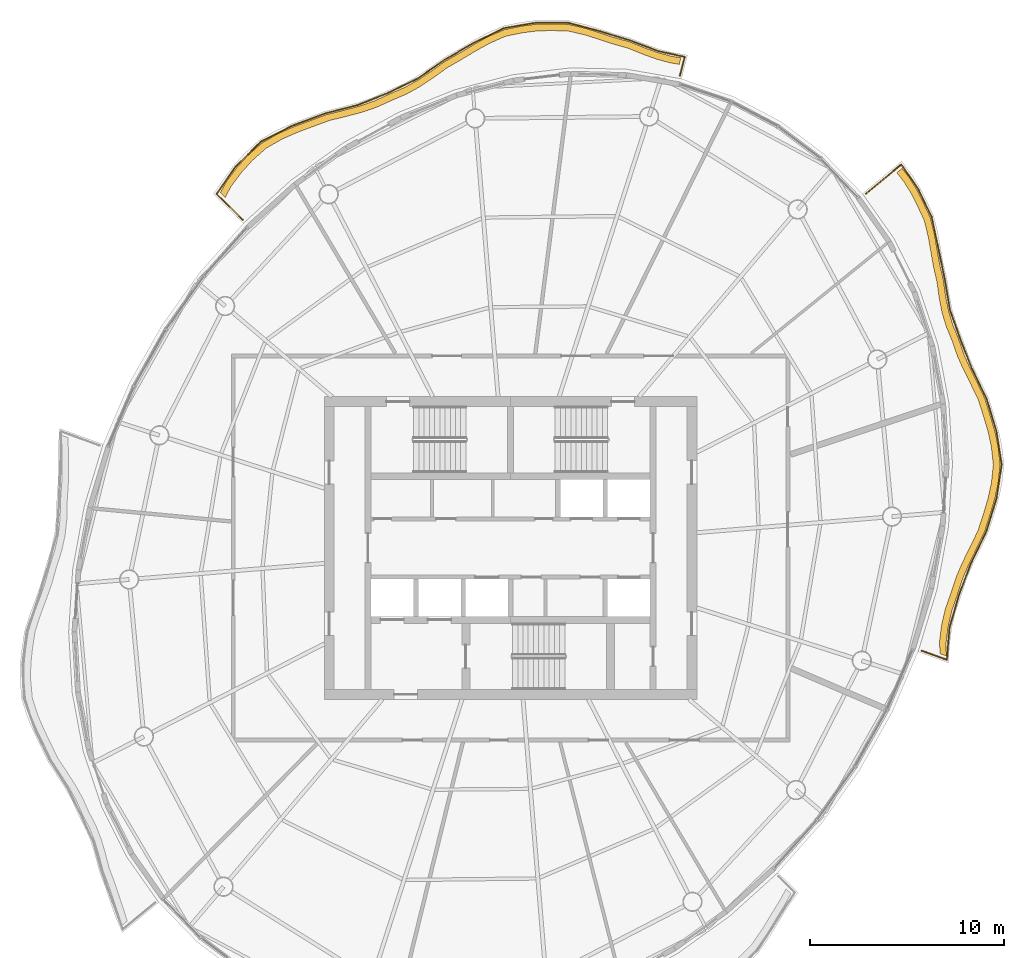
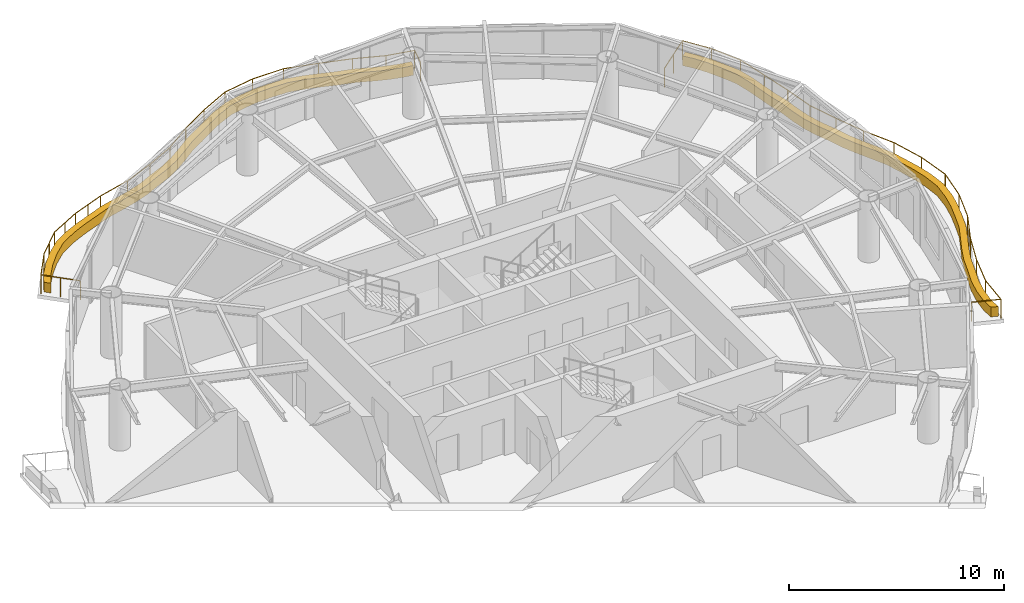
# One storey, part 14 of 14: 2 coverings, 2 railings.
"""IFC4 building model written with IfcOpenShell, lengths in metres."""

from ifc_helpers import new_model, si_unit, direction, frame, origin, origin_2d, place, context, subcontext, project, spatial, polyline, circle, outline, extrude, material, type_object, element, save


model = new_model("IFC4")

# Units and contexts
model_context = context("Model", 3, precision=1e-05, world=origin(), true_north=direction((0.0, 1.0)))
body_context = subcontext(model_context, "Body", "Model", "MODEL_VIEW")
ifc_project = project(units=[si_unit("LENGTHUNIT", "METRE"), si_unit("AREAUNIT", "SQUARE_METRE"), si_unit("VOLUMEUNIT", "CUBIC_METRE"), si_unit("PLANEANGLEUNIT", "RADIAN"), si_unit("MASSUNIT", "GRAM", prefix="KILO")], contexts=[model_context])

# Site, building, storey
site_placement = place(None, origin())
site = spatial("IfcSite", under=ifc_project, at=site_placement, CompositionType="ELEMENT")
building_placement = place(site_placement, origin())
building = spatial("IfcBuilding", under=site, at=building_placement, Name="Vermilion Reach Broadcast Tower", CompositionType="ELEMENT")
storey_placement = place(building_placement, frame((0.0, 0.0, 264.89990234375)))
storey = spatial("IfcBuildingStorey", under=building, at=storey_placement, Name="L65", CompositionType="ELEMENT", Elevation=264.89990234375)

# Coverings
ifc_material_1 = material(Name="Planting soil and greenery")
covering_type = type_object("IfcCoveringType", Name="Balcony PLANTER", PredefinedType="USERDEFINED", material=ifc_material_1)
placement = place(storey_placement, origin())
element("IfcCovering", 1, at=placement, inside=storey, type_object=covering_type, Name="PLANTER L65 group 1", ObjectType="PLANTER", PredefinedType="USERDEFINED", context=body_context, shape_type="SweptSolid", body=[
    extrude(outline(polyline([(2.7802734375, 25.273681640625), (2.2900390625, 25.355712890625), (1.596435546875, 25.54150390625), (0.91357421875, 25.787109375), (0.134521484375, 26.099365234375), (-0.696533203125, 26.32861328125), (-1.421142578125, 26.56787109375), (-2.146240234375, 26.797119140625), (-3.031982421875, 26.999267578125), (-3.94970703125, 27.023681640625), (-4.700927734375, 27.001708984375), (-5.443359375, 26.906982421875), (-6.3359375, 26.7216796875), (-7.197021484375, 26.34521484375), (-7.890625, 25.959716796875), (-8.576904296875, 25.5458984375), (-9.359130859375, 25.10400390625), (-10.102783203125, 24.572998046875), (-10.772216796875, 24.124755859375), (-11.466796875, 23.739501953125), (-12.2509765625, 23.404052734375), (-13.045166015625, 23.03955078125), (-13.820556640625, 22.774169921875), (-14.625, 22.561767578125), (-15.533935546875, 22.33203125), (-16.42919921875, 21.99658203125), (-17.228759765625, 21.69873046875), (-17.996826171875, 21.35693359375), (-18.832763671875, 20.873779296875), (-19.5595703125, 20.22509765625), (-20.12353515625, 19.600830078125), (-20.6337890625, 18.917236328125), (-20.963134765625, 18.319580078125), (-20.71484375, 18.072998046875), (-20.3994140625, 18.657470703125), (-19.888916015625, 19.3408203125), (-19.3251953125, 19.965087890625), (-18.613525390625, 20.601318359375), (-17.79296875, 21.072265625), (-17.02490234375, 21.414306640625), (-16.225341796875, 21.712158203125), (-15.34716796875, 22.0361328125), (-14.455810546875, 22.255126953125), (-13.6513671875, 22.4677734375), (-12.8759765625, 22.733154296875), (-12.100830078125, 23.087890625), (-11.336181640625, 23.41455078125), (-10.6416015625, 23.800048828125), (-9.97216796875, 24.248291015625), (-9.249755859375, 24.771484375), (-8.489013671875, 25.20703125), (-7.802734375, 25.620849609375), (-7.109130859375, 26.00634765625), (-6.27099609375, 26.377685546875), (-5.40185546875, 26.559326171875), (-4.659423828125, 26.654052734375), (-3.908203125, 26.676025390625), (-3.015380859375, 26.649658203125), (-2.154541015625, 26.447265625), (-1.429443359375, 26.218017578125), (-0.704833984375, 25.978759765625), (0.100341796875, 25.751220703125), (0.853271484375, 25.442138671875), (1.536376953125, 25.196533203125), (2.229736328125, 25.0107421875), (2.69384765625, 24.9345703125), (2.7802734375, 25.273681640625)])), origin(), (0.0, 0.0, 1.0), 0.550048828125),
])
element("IfcCovering", 2, at=placement, inside=storey, type_object=covering_type, Name="PLANTER L65 group 4", ObjectType="PLANTER", PredefinedType="USERDEFINED", context=body_context, shape_type="SweptSolid", body=[
    extrude(outline(polyline([(16.467529296875, -5.564208984375), (16.447509765625, -4.913818359375), (16.5546875, -4.07177734375), (16.742919921875, -3.254638671875), (17.03759765625, -2.405517578125), (17.3154296875, -1.556640625), (17.65087890625, -0.781005859375), (18.030517578125, -0.013427734375), (18.445556640625, 0.85986328125), (18.73291015625, 1.76025390625), (18.96923828125, 2.5537109375), (19.138916015625, 3.3515625), (19.237548828125, 4.30419921875), (19.1357421875, 5.23779296875), (18.966796875, 6.017822265625), (18.736083984375, 6.7939453125), (18.458740234375, 7.687744140625), (18.064453125, 8.517333984375), (17.70556640625, 9.231689453125), (17.383544921875, 9.952880859375), (17.105224609375, 10.75830078125), (16.79443359375, 11.522705078125), (16.577880859375, 12.239501953125), (16.429443359375, 12.978759765625), (16.31005859375, 13.8271484375), (16.115234375, 14.6513671875), (15.98388671875, 15.402099609375), (15.854248046875, 16.15380859375), (15.635009765625, 17.040283203125), (15.259033203125, 17.846435546875), (14.931884765625, 18.490478515625), (14.55224609375, 19.09765625), (14.1826171875, 19.574462890625), (13.91259765625, 19.351806640625), (14.265869140625, 18.896484375), (14.6455078125, 18.2890625), (14.97265625, 17.64501953125), (15.33447265625, 16.86083984375), (15.541259765625, 15.997314453125), (15.6708984375, 15.24560546875), (15.802001953125, 14.494873046875), (15.98681640625, 13.693359375), (16.09716796875, 12.868408203125), (16.245849609375, 12.12890625), (16.46240234375, 11.412109375), (16.766357421875, 10.67041015625), (17.039794921875, 9.88818359375), (17.36181640625, 9.1669921875), (17.720703125, 8.45263671875), (18.111328125, 7.645263671875), (18.38671875, 6.773681640625), (18.617431640625, 5.99755859375), (18.786376953125, 5.2177734375), (18.887451171875, 4.305419921875), (18.789794921875, 3.374267578125), (18.6201171875, 2.576416015625), (18.383544921875, 1.782958984375), (18.09814453125, 0.90283203125), (17.686279296875, 0.0498046875), (17.306640625, -0.7177734375), (16.97119140625, -1.49365234375), (16.697509765625, -2.322998046875), (16.407958984375, -3.153076171875), (16.2197265625, -3.970458984375), (16.112548828125, -4.812255859375), (16.138671875, -5.444580078125), (16.467529296875, -5.564208984375)])), origin(), (0.0, 0.0, 1.0), 0.550048828125),
])

# Railings
ifc_material_2 = material(Name="Stainless steel 316 balustrade", Category="steel")
railing_type = type_object("IfcRailingType", Name="Balcony guard 1100", PredefinedType="BALUSTRADE", material=ifc_material_2)
railing_1_placement = place(storey_placement, frame((2.7314453125, 24.357421875, 0.0)))
element("IfcRailing", 3, at=railing_1_placement, inside=storey, type_object=railing_type, Name="Balcony guard L65 group 1", PredefinedType="BALUSTRADE", context=body_context, shape_type="SweptSolid", body=[
    extrude(circle(Radius=0.02490234375, at=origin_2d()), frame((0.0, 0.0, 1.0751953125), z_axis=(0.24761876468, 0.968857547516, 0.0), x_axis=(-0.968857547516, 0.24761876468, 0.0)), (0.0, 0.0, 1.0), 0.993896484375),
    extrude(circle(Radius=0.02490234375, at=origin_2d()), frame((0.24609375, 0.962890625, 1.0751953125), z_axis=(-0.976798650088, 0.214159746886, 0.0), x_axis=(-0.214159746886, -0.976798650088, 0.0)), (0.0, 0.0, 1.0), 1.39990234375),
    extrude(circle(Radius=0.02490234375, at=origin_2d()), frame((-1.121337890625, 1.2626953125, 1.0751953125), z_axis=(-0.934554207339, 0.355820788523, 0.0), x_axis=(-0.355820788523, -0.934554207339, 0.0)), (0.0, 0.0, 1.0), 1.570556640625),
    extrude(circle(Radius=0.02490234375, at=origin_2d()), frame((-2.589111328125, 1.821533203125, 1.0751953125), z_axis=(-0.957747956612, 0.287608851751, 0.0), x_axis=(-0.287608851751, -0.957747956612, 0.0)), (0.0, 0.0, 1.0), 1.630615234375),
    extrude(circle(Radius=0.02490234375, at=origin_2d()), frame((-4.15087890625, 2.29052734375, 1.0751953125), z_axis=(-0.96621071072, 0.257753491712, 0.0), x_axis=(-0.257753491712, -0.96621071072, 0.0)), (0.0, 0.0, 1.0), 1.6728515625),
    extrude(circle(Radius=0.02490234375, at=origin_2d()), frame((-5.76708984375, 2.7216796875, 1.0751953125), z_axis=(-0.999999319814, 0.001166349987, 0.0), x_axis=(-0.001166349987, -0.999999319814, 0.0)), (0.0, 0.0, 1.0), 1.674560546875),
    extrude(circle(Radius=0.02490234375, at=origin_2d()), frame((-7.441650390625, 2.7236328125, 1.0751953125), z_axis=(-0.985666893009, -0.168703218777, 0.0), x_axis=(0.168703218777, -0.985666893009, 0.0)), (0.0, 0.0, 1.0), 1.664306640625),
    extrude(circle(Radius=0.02490234375, at=origin_2d()), frame((-9.08203125, 2.44287109375, 1.0751953125), z_axis=(-0.898273396337, -0.439437032387, 0.0), x_axis=(0.439437032387, -0.898273396337, 0.0)), (0.0, 0.0, 1.0), 1.73681640625),
    extrude(circle(Radius=0.02490234375, at=origin_2d()), frame((-10.64208984375, 1.6796875, 1.0751953125), z_axis=(-0.864365316272, -0.502864395266, 0.0), x_axis=(0.502864395266, -0.864365316272, 0.0)), (0.0, 0.0, 1.0), 1.70458984375),
    extrude(circle(Radius=0.02490234375, at=origin_2d()), frame((-12.115478515625, 0.822509765625, 1.0751953125), z_axis=(-0.822385846488, -0.568930153442, 0.0), x_axis=(0.568930153442, -0.822385846488, 0.0)), (0.0, 0.0, 1.0), 1.72412109375),
    extrude(circle(Radius=0.02490234375, at=origin_2d()), frame((-13.533447265625, -0.158447265625, 1.0751953125), z_axis=(-0.898967458637, -0.438015420175, 0.0), x_axis=(0.438015420175, -0.898967458637, 0.0)), (0.0, 0.0, 1.0), 1.64990234375),
    extrude(circle(Radius=0.02490234375, at=origin_2d()), frame((-15.0166015625, -0.881103515625, 1.0751953125), z_axis=(-0.927969562847, -0.372655994759, 0.0), x_axis=(0.372655994759, -0.927969562847, 0.0)), (0.0, 0.0, 1.0), 1.696044921875),
    extrude(circle(Radius=0.02490234375, at=origin_2d()), frame((-16.590576171875, -1.51318359375, 1.0751953125), z_axis=(-0.968093401823, -0.250589635355, 0.0), x_axis=(0.250589635355, -0.968093401823, 0.0)), (0.0, 0.0, 1.0), 1.774169921875),
    extrude(circle(Radius=0.02490234375, at=origin_2d()), frame((-18.30810546875, -1.957763671875, 1.0751953125), z_axis=(-0.936544760101, -0.350548017149, 0.0), x_axis=(0.350548017149, -0.936544760101, 0.0)), (0.0, 0.0, 1.0), 1.8134765625),
    extrude(circle(Radius=0.02490234375, at=origin_2d()), frame((-20.006591796875, -2.593505859375, 1.0751953125), z_axis=(-0.889127731784, -0.45765912705, 0.0), x_axis=(0.45765912705, -0.889127731784, 0.0)), (0.0, 0.0, 1.0), 1.808349609375),
    extrude(circle(Radius=0.02490234375, at=origin_2d()), frame((-21.614501953125, -3.421142578125, 1.0751953125), z_axis=(-0.711993129041, -0.702186431226, 0.0), x_axis=(0.702186431226, -0.711993129041, 0.0)), (0.0, 0.0, 1.0), 1.8173828125),
    extrude(circle(Radius=0.02490234375, at=origin_2d()), frame((-22.908447265625, -4.697265625, 1.0751953125), z_axis=(-0.570796874103, -0.821091303397, 0.0), x_axis=(0.821091303397, -0.570796874103, 0.0)), (0.0, 0.0, 1.0), 1.7109375),
    extrude(circle(Radius=0.02490234375, at=origin_2d()), frame((-23.885009765625, -6.10205078125, 1.0751953125), z_axis=(0.709609109092, -0.704595566473, 0.0), x_axis=(0.704595566473, 0.709609109092, 0.0)), (0.0, 0.0, 1.0), 1.899169921875),
    extrude(circle(Radius=0.02490234375, at=origin_2d()), origin(), (0.0, 0.0, 1.0), 1.050048828125),
    extrude(circle(Radius=0.02490234375, at=origin_2d()), frame((0.24609375, 0.962890625, 0.0)), (0.0, 0.0, 1.0), 1.050048828125),
    extrude(circle(Radius=0.02490234375, at=origin_2d()), frame((-1.121337890625, 1.2626953125, 0.0)), (0.0, 0.0, 1.0), 1.050048828125),
    extrude(circle(Radius=0.02490234375, at=origin_2d()), frame((-2.589111328125, 1.821533203125, 0.0)), (0.0, 0.0, 1.0), 1.050048828125),
    extrude(circle(Radius=0.02490234375, at=origin_2d()), frame((-4.15087890625, 2.29052734375, 0.0)), (0.0, 0.0, 1.0), 1.050048828125),
    extrude(circle(Radius=0.02490234375, at=origin_2d()), frame((-5.76708984375, 2.7216796875, 0.0)), (0.0, 0.0, 1.0), 1.050048828125),
    extrude(circle(Radius=0.02490234375, at=origin_2d()), frame((-7.441650390625, 2.7236328125, 0.0)), (0.0, 0.0, 1.0), 1.050048828125),
    extrude(circle(Radius=0.02490234375, at=origin_2d()), frame((-9.08203125, 2.44287109375, 0.0)), (0.0, 0.0, 1.0), 1.050048828125),
    extrude(circle(Radius=0.02490234375, at=origin_2d()), frame((-10.64208984375, 1.6796875, 0.0)), (0.0, 0.0, 1.0), 1.050048828125),
    extrude(circle(Radius=0.02490234375, at=origin_2d()), frame((-12.115478515625, 0.822509765625, 0.0)), (0.0, 0.0, 1.0), 1.050048828125),
    extrude(circle(Radius=0.02490234375, at=origin_2d()), frame((-13.533447265625, -0.158447265625, 0.0)), (0.0, 0.0, 1.0), 1.050048828125),
    extrude(circle(Radius=0.02490234375, at=origin_2d()), frame((-15.0166015625, -0.881103515625, 0.0)), (0.0, 0.0, 1.0), 1.050048828125),
    extrude(circle(Radius=0.02490234375, at=origin_2d()), frame((-16.590576171875, -1.51318359375, 0.0)), (0.0, 0.0, 1.0), 1.050048828125),
    extrude(circle(Radius=0.02490234375, at=origin_2d()), frame((-18.30810546875, -1.957763671875, 0.0)), (0.0, 0.0, 1.0), 1.050048828125),
    extrude(circle(Radius=0.02490234375, at=origin_2d()), frame((-19.1572265625, -2.275634765625, 0.0)), (0.0, 0.0, 1.0), 1.050048828125),
    extrude(circle(Radius=0.02490234375, at=origin_2d()), frame((-20.006591796875, -2.593505859375, 0.0)), (0.0, 0.0, 1.0), 1.050048828125),
    extrude(circle(Radius=0.02490234375, at=origin_2d()), frame((-20.810546875, -3.00732421875, 0.0)), (0.0, 0.0, 1.0), 1.050048828125),
    extrude(circle(Radius=0.02490234375, at=origin_2d()), frame((-21.614501953125, -3.421142578125, 0.0)), (0.0, 0.0, 1.0), 1.050048828125),
    extrude(circle(Radius=0.02490234375, at=origin_2d()), frame((-22.261474609375, -4.05908203125, 0.0)), (0.0, 0.0, 1.0), 1.050048828125),
    extrude(circle(Radius=0.02490234375, at=origin_2d()), frame((-22.908447265625, -4.697265625, 0.0)), (0.0, 0.0, 1.0), 1.050048828125),
    extrude(circle(Radius=0.02490234375, at=origin_2d()), frame((-23.885009765625, -6.10205078125, 0.0)), (0.0, 0.0, 1.0), 1.050048828125),
    extrude(circle(Radius=0.02490234375, at=origin_2d()), frame((-23.211181640625, -6.77099609375, 0.0)), (0.0, 0.0, 1.0), 1.050048828125),
    extrude(circle(Radius=0.02490234375, at=origin_2d()), frame((-22.537353515625, -7.440185546875, 0.0)), (0.0, 0.0, 1.0), 1.050048828125),
])
railing_2_placement = place(storey_placement, frame((15.185302734375, -5.288818359375, 0.0)))
element("IfcRailing", 4, at=railing_2_placement, inside=storey, type_object=railing_type, Name="Balcony guard L65 group 4", PredefinedType="BALUSTRADE", context=body_context, shape_type="SweptSolid", body=[
    extrude(circle(Radius=0.02490234375, at=origin_2d()), frame((0.0, 0.0, 1.0751953125), z_axis=(0.939680467153, -0.342053533311, 0.0), x_axis=(0.342053533311, 0.939680467153, 0.0)), (0.0, 0.0, 1.0), 1.388916015625),
    extrude(circle(Radius=0.02490234375, at=origin_2d()), frame((1.30517578125, -0.47509765625, 1.0751953125), z_axis=(0.084107011703, 0.996456727903, 0.0), x_axis=(-0.996456727903, 0.084107011703, 0.0)), (0.0, 0.0, 1.0), 1.6748046875),
    extrude(circle(Radius=0.02490234375, at=origin_2d()), frame((1.446044921875, 1.19384765625, 1.0751953125), z_axis=(0.278334121579, 0.960484313649, 0.0), x_axis=(-0.960484313649, 0.278334121579, 0.0)), (0.0, 0.0, 1.0), 1.739501953125),
    extrude(circle(Radius=0.02490234375, at=origin_2d()), frame((1.93017578125, 2.864501953125, 1.0751953125), z_axis=(0.352721362226, 0.935728401102, 0.0), x_axis=(-0.935728401102, 0.352721362226, 0.0)), (0.0, 0.0, 1.0), 1.74072265625),
    extrude(circle(Radius=0.02490234375, at=origin_2d()), frame((2.544189453125, 4.493408203125, 1.0751953125), z_axis=(0.435204754856, 0.900331506363, 0.0), x_axis=(-0.900331506363, 0.435204754856, 0.0)), (0.0, 0.0, 1.0), 1.82763671875),
    extrude(circle(Radius=0.02490234375, at=origin_2d()), frame((3.339599609375, 6.138916015625, 1.0751953125), z_axis=(0.294886820278, 0.955532188483, 0.0), x_axis=(-0.955532188483, 0.294886820278, 0.0)), (0.0, 0.0, 1.0), 1.777587890625),
    extrude(circle(Radius=0.02490234375, at=origin_2d()), frame((3.86376953125, 7.83740234375, 1.0751953125), z_axis=(0.151096304985, 0.988519047171, 0.0), x_axis=(-0.988519047171, 0.151096304985, 0.0)), (0.0, 0.0, 1.0), 1.77587890625),
    extrude(circle(Radius=0.02490234375, at=origin_2d()), frame((4.132080078125, 9.5927734375, 1.0751953125), z_axis=(-0.155515690785, 0.987833422152, 0.0), x_axis=(-0.987833422152, -0.155515690785, 0.0)), (0.0, 0.0, 1.0), 1.739501953125),
    extrude(circle(Radius=0.02490234375, at=origin_2d()), frame((3.861572265625, 11.31103515625, 1.0751953125), z_axis=(-0.290595597341, 0.956845963991, 0.0), x_axis=(-0.956845963991, -0.290595597341, 0.0)), (0.0, 0.0, 1.0), 1.750732421875),
    extrude(circle(Radius=0.02490234375, at=origin_2d()), frame((3.352783203125, 12.986328125, 1.0751953125), z_axis=(-0.437608179197, 0.899165769755, 0.0), x_axis=(-0.899165769755, -0.437608179197, 0.0)), (0.0, 0.0, 1.0), 1.722900390625),
    extrude(circle(Radius=0.02490234375, at=origin_2d()), frame((2.598876953125, 14.535400390625, 1.0751953125), z_axis=(-0.365551389224, 0.930791159088, 0.0), x_axis=(-0.930791159088, -0.365551389224, 0.0)), (0.0, 0.0, 1.0), 1.645751953125),
    extrude(circle(Radius=0.02490234375, at=origin_2d()), frame((1.997314453125, 16.067138671875, 1.0751953125), z_axis=(-0.335198948908, 0.942147368861, 0.0), x_axis=(-0.942147368861, -0.335198948908, 0.0)), (0.0, 0.0, 1.0), 1.57763671875),
    extrude(circle(Radius=0.02490234375, at=origin_2d()), frame((1.468505859375, 17.553466796875, 1.0751953125), z_axis=(-0.166971301231, 0.985961756137, 0.0), x_axis=(-0.985961756137, -0.166971301231, 0.0)), (0.0, 0.0, 1.0), 1.61572265625),
    extrude(circle(Radius=0.02490234375, at=origin_2d()), frame((1.19873046875, 19.146484375, 1.0751953125), z_axis=(-0.203615950088, 0.979050838757, 0.0), x_axis=(-0.979050838757, -0.203615950088, 0.0)), (0.0, 0.0, 1.0), 1.61376953125),
    extrude(circle(Radius=0.02490234375, at=origin_2d()), frame((0.8701171875, 20.7265625, 1.0751953125), z_axis=(-0.209310848407, 0.977849154389, 0.0), x_axis=(-0.977849154389, -0.209310848407, 0.0)), (0.0, 0.0, 1.0), 1.6806640625),
    extrude(circle(Radius=0.02490234375, at=origin_2d()), frame((0.518310546875, 22.3701171875, 1.0751953125), z_axis=(-0.436677136055, 0.899618296194, 0.0), x_axis=(-0.899618296194, -0.436677136055, 0.0)), (0.0, 0.0, 1.0), 1.617431640625),
    extrude(circle(Radius=0.02490234375, at=origin_2d()), frame((-0.18798828125, 23.8251953125, 1.0751953125), z_axis=(-0.569446304748, 0.822028531141, 0.0), x_axis=(-0.822028531141, -0.569446304748, 0.0)), (0.0, 0.0, 1.0), 1.50390625),
    extrude(circle(Radius=0.02490234375, at=origin_2d()), frame((-1.04443359375, 25.0615234375, 1.0751953125), z_axis=(-0.771317385311, -0.636450698104, 0.0), x_axis=(0.636450698104, -0.771317385311, 0.0)), (0.0, 0.0, 1.0), 2.358642578125),
    extrude(circle(Radius=0.02490234375, at=origin_2d()), origin(), (0.0, 0.0, 1.0), 1.050048828125),
    extrude(circle(Radius=0.02490234375, at=origin_2d()), frame((1.30517578125, -0.47509765625, 0.0)), (0.0, 0.0, 1.0), 1.050048828125),
    extrude(circle(Radius=0.02490234375, at=origin_2d()), frame((1.446044921875, 1.19384765625, 0.0)), (0.0, 0.0, 1.0), 1.050048828125),
    extrude(circle(Radius=0.02490234375, at=origin_2d()), frame((1.93017578125, 2.864501953125, 0.0)), (0.0, 0.0, 1.0), 1.050048828125),
    extrude(circle(Radius=0.02490234375, at=origin_2d()), frame((2.544189453125, 4.493408203125, 0.0)), (0.0, 0.0, 1.0), 1.050048828125),
    extrude(circle(Radius=0.02490234375, at=origin_2d()), frame((2.94189453125, 5.316162109375, 0.0)), (0.0, 0.0, 1.0), 1.050048828125),
    extrude(circle(Radius=0.02490234375, at=origin_2d()), frame((3.339599609375, 6.138916015625, 0.0)), (0.0, 0.0, 1.0), 1.050048828125),
    extrude(circle(Radius=0.02490234375, at=origin_2d()), frame((3.86376953125, 7.83740234375, 0.0)), (0.0, 0.0, 1.0), 1.050048828125),
    extrude(circle(Radius=0.02490234375, at=origin_2d()), frame((4.132080078125, 9.5927734375, 0.0)), (0.0, 0.0, 1.0), 1.050048828125),
    extrude(circle(Radius=0.02490234375, at=origin_2d()), frame((3.861572265625, 11.31103515625, 0.0)), (0.0, 0.0, 1.0), 1.050048828125),
    extrude(circle(Radius=0.02490234375, at=origin_2d()), frame((3.352783203125, 12.986328125, 0.0)), (0.0, 0.0, 1.0), 1.050048828125),
    extrude(circle(Radius=0.02490234375, at=origin_2d()), frame((2.598876953125, 14.535400390625, 0.0)), (0.0, 0.0, 1.0), 1.050048828125),
    extrude(circle(Radius=0.02490234375, at=origin_2d()), frame((1.997314453125, 16.067138671875, 0.0)), (0.0, 0.0, 1.0), 1.050048828125),
    extrude(circle(Radius=0.02490234375, at=origin_2d()), frame((1.468505859375, 17.553466796875, 0.0)), (0.0, 0.0, 1.0), 1.050048828125),
    extrude(circle(Radius=0.02490234375, at=origin_2d()), frame((1.19873046875, 19.146484375, 0.0)), (0.0, 0.0, 1.0), 1.050048828125),
    extrude(circle(Radius=0.02490234375, at=origin_2d()), frame((0.8701171875, 20.7265625, 0.0)), (0.0, 0.0, 1.0), 1.050048828125),
    extrude(circle(Radius=0.02490234375, at=origin_2d()), frame((0.518310546875, 22.3701171875, 0.0)), (0.0, 0.0, 1.0), 1.050048828125),
    extrude(circle(Radius=0.02490234375, at=origin_2d()), frame((-0.18798828125, 23.8251953125, 0.0)), (0.0, 0.0, 1.0), 1.050048828125),
    extrude(circle(Radius=0.02490234375, at=origin_2d()), frame((-1.04443359375, 25.0615234375, 0.0)), (0.0, 0.0, 1.0), 1.050048828125),
    extrude(circle(Radius=0.02490234375, at=origin_2d()), frame((-1.9541015625, 24.31103515625, 0.0)), (0.0, 0.0, 1.0), 1.050048828125),
    extrude(circle(Radius=0.02490234375, at=origin_2d()), frame((-2.86376953125, 23.560302734375, 0.0)), (0.0, 0.0, 1.0), 1.050048828125),
])

save(model, "model.ifc")
